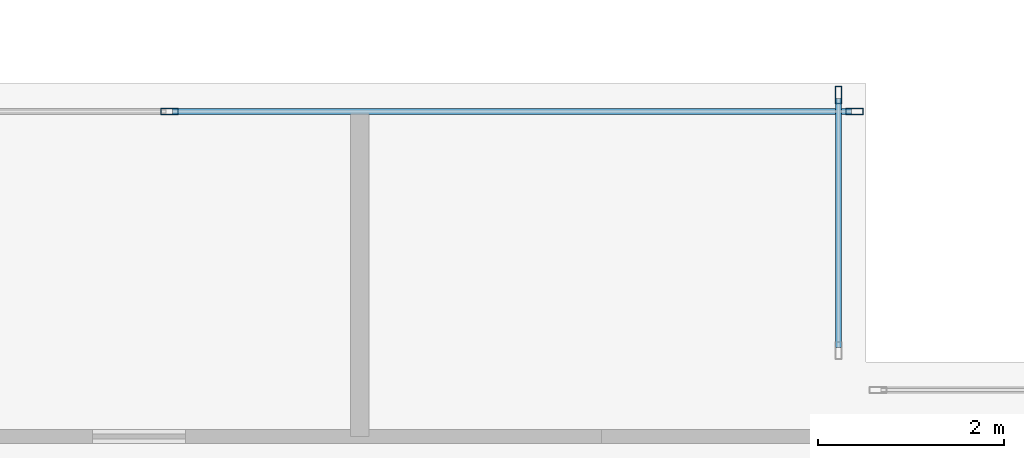
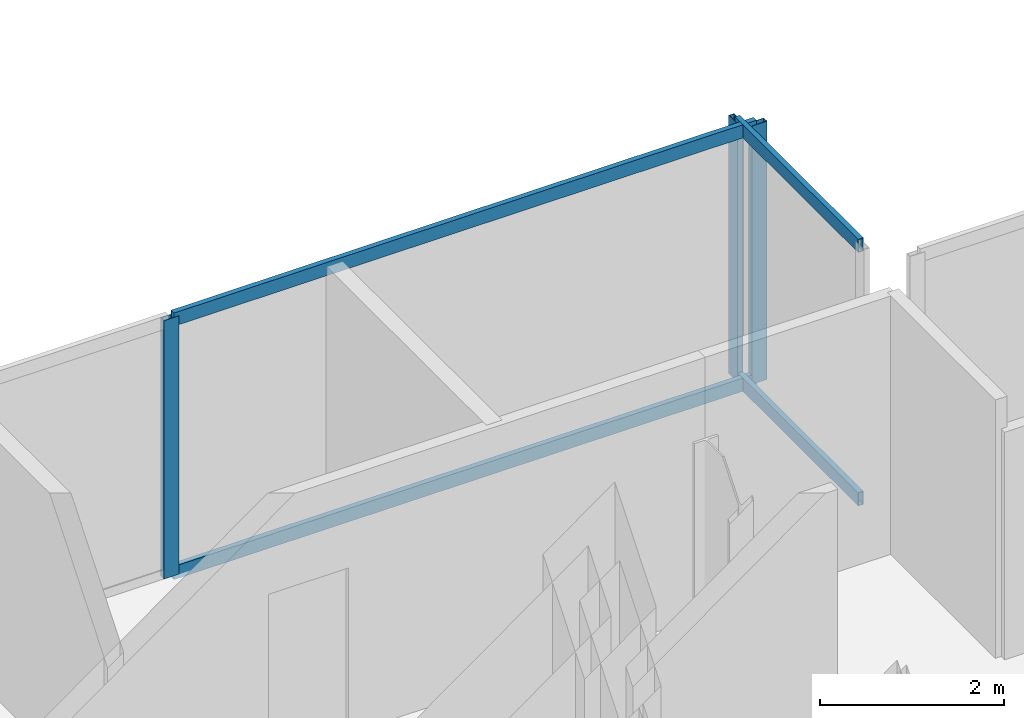
# One storey, part 13 of 25: 7 members, 2 elements without a shape of their own.
"""IFC4 building model written with IfcOpenShell, lengths in metres."""

import ifcopenshell
import ifcopenshell.guid

model = None  # the IFC model being written
_history = None  # IfcOwnerHistory: only IFC2X3 demands one
_inside = {}  # id of a spatial element -> (the spatial element, [elements in it])
_under = {}  # id of a project, library or spatial element -> (it, [spatial elements below it])
_declared = {}  # id of a project -> (the project, [libraries it declares])
_typed = {}  # id of a type object -> (the type object, [elements of that type])
_made_of = {}  # id of a material, layer set ... -> (it, [elements and type objects made of it])


def new_model(schema):
    """Start an empty IFC model of exactly this schema.

    Asked for "IFC4X3", IfcOpenShell would pick the latest addendum, in which some entities
    have other attributes; the version numbers below select the first issue.
    IFC2X3 requires an IfcOwnerHistory on every rooted entity: one is made here for all.
    """
    global model, _history
    if schema == "IFC4X3":
        model = ifcopenshell.file(schema_version=(4, 3, 0, 0))
    else:
        model = ifcopenshell.file(schema=schema)
    _inside.clear()
    _under.clear()
    _declared.clear()
    _typed.clear()
    _made_of.clear()
    _history = None
    if model.schema == "IFC2X3":
        org = make("IfcOrganization", Name="unknown")
        user = make(
            "IfcPersonAndOrganization",
            ThePerson=make("IfcPerson", FamilyName="unknown"),
            TheOrganization=org,
        )
        app = make(
            "IfcApplication",
            ApplicationDeveloper=org,
            Version="unknown",
            ApplicationFullName="unknown",
            ApplicationIdentifier="unknown",
        )
        _history = make(
            "IfcOwnerHistory",
            OwningUser=user,
            OwningApplication=app,
            ChangeAction="ADDED",
            CreationDate=0,
        )
    return model


def make(cls, **values):
    """One entity of the class cls with the attributes given. An attribute that is None is left unset."""
    return model.create_entity(
        cls, **{name: value for name, value in values.items() if value is not None}
    )


def rooted(cls, **values):
    """An entity with a GlobalId (a new one), such as an element, a storey or a relation."""
    return make(cls, GlobalId=ifcopenshell.guid.new(), OwnerHistory=_history, **values)


def si_unit(unit_type, name, prefix=None):
    """IfcSIUnit, for example si_unit("LENGTHUNIT", "METRE", prefix="MILLI")."""
    return make("IfcSIUnit", UnitType=unit_type, Prefix=prefix, Name=name)


def assignment(units):
    """IfcUnitAssignment: the units of a project."""
    return None if units is None else make("IfcUnitAssignment", Units=units)


def point(xyz):
    """IfcCartesianPoint."""
    return None if xyz is None else make("IfcCartesianPoint", Coordinates=xyz)


def direction(xyz):
    """IfcDirection."""
    return None if xyz is None else make("IfcDirection", DirectionRatios=xyz)


def frame(location, z_axis=None, x_axis=None):
    """IfcAxis2Placement3D, a coordinate frame: its origin and axes. An axis left out is left unset."""
    return make(
        "IfcAxis2Placement3D",
        Location=point(location),
        Axis=direction(z_axis),
        RefDirection=direction(x_axis),
    )


def frame_2d(location, x_axis=None):
    """IfcAxis2Placement2D, a coordinate frame in the plane: its origin and x axis."""
    return make(
        "IfcAxis2Placement2D", Location=point(location), RefDirection=direction(x_axis)
    )


def origin():
    """The frame at (0, 0, 0) with its axes left unset."""
    return frame((0.0, 0.0, 0.0))


def origin_2d():
    """The frame at (0, 0) in the plane with its x axis left unset."""
    return frame_2d((0.0, 0.0))


def place(relative_to, where):
    """IfcLocalPlacement: puts the frame where relative to a parent placement (None: the world)."""
    return make(
        "IfcLocalPlacement", PlacementRelTo=relative_to, RelativePlacement=where
    )


def context(
    kind, dimensions, precision=None, world=None, true_north=None, identifier=None
):
    """IfcGeometricRepresentationContext, for example the 3D "Model" context."""
    return make(
        "IfcGeometricRepresentationContext",
        ContextIdentifier=identifier,
        ContextType=kind,
        CoordinateSpaceDimension=dimensions,
        Precision=precision,
        WorldCoordinateSystem=world,
        TrueNorth=true_north,
    )


def subcontext(parent, identifier, kind, view, scale=None):
    """IfcGeometricRepresentationSubContext, for example "Body" below "Model"."""
    return make(
        "IfcGeometricRepresentationSubContext",
        ContextIdentifier=identifier,
        ContextType=kind,
        ParentContext=parent,
        TargetScale=scale,
        TargetView=view,
    )


def project(units=None, contexts=None):
    """IfcProject with its units and contexts."""
    return rooted(
        "IfcProject",
        Name="project",
        RepresentationContexts=contexts,
        UnitsInContext=assignment(units),
    )


def spatial(cls, under=None, at=None, **own):
    """A site, building, storey or space (cls), placed at a placement, below another one or the project."""
    s = rooted(cls, ObjectPlacement=at, **own)
    if under is not None:
        _under.setdefault(under.id(), (under, []))[1].append(s)
    return s


def profile(cls, at=None, kind="AREA", **sizes):
    """A parametric profile (cls). Its sizes go by their IFC names, for example OverallWidth=200.0."""
    return make(cls, ProfileType=kind, Position=at, **sizes)


def hollow_rectangle(**sizes):
    """IfcRectangleHollowProfileDef."""
    return profile("IfcRectangleHollowProfileDef", **sizes)


def extrude(swept, where, along, depth):
    """IfcExtrudedAreaSolid: the profile swept, set in the frame where, extruded along a direction by depth."""
    return make(
        "IfcExtrudedAreaSolid",
        SweptArea=swept,
        Position=where,
        ExtrudedDirection=direction(along),
        Depth=depth,
    )


def shape(context_of_items, identifier, shape_type, items):
    """IfcShapeRepresentation: the items that make up one representation, for example the "Body"."""
    return make(
        "IfcShapeRepresentation",
        ContextOfItems=context_of_items,
        RepresentationIdentifier=identifier,
        RepresentationType=shape_type,
        Items=items,
    )


def material(Name=None, Category=None):
    """IfcMaterial."""
    return make("IfcMaterial", Name=Name, Category=Category)


def layer(
    of_material, thickness, ventilated=None, Name=None, Category=None, Priority=None
):
    """IfcMaterialLayer: one layer of a wall or slab, of a material (None: an air gap)."""
    return make(
        "IfcMaterialLayer",
        Material=of_material,
        LayerThickness=thickness,
        IsVentilated=ventilated,
        Name=Name,
        Category=Category,
        Priority=Priority,
    )


def layer_set(layers, Name=None):
    """IfcMaterialLayerSet."""
    return make("IfcMaterialLayerSet", MaterialLayers=layers, LayerSetName=Name)


def material_profile(
    of_material, cross_section, Name=None, Category=None, Priority=None
):
    """IfcMaterialProfile: a cross section and its material."""
    return make(
        "IfcMaterialProfile",
        Name=Name,
        Material=of_material,
        Profile=cross_section,
        Priority=Priority,
        Category=Category,
    )


def profile_set(profiles, Name=None, composite=None):
    """IfcMaterialProfileSet."""
    return make(
        "IfcMaterialProfileSet",
        Name=Name,
        MaterialProfiles=profiles,
        CompositeProfile=composite,
    )


def made_of(thing, what):
    """Note that an element or type object is made of a material, layer set ...; save() writes the relation."""
    if what is not None:
        _made_of.setdefault(what.id(), (what, []))[1].append(thing)
    return thing


def type_object(cls, material=None, **own):
    """A type object (cls), such as IfcWallType, which elements share."""
    return made_of(rooted(cls, **own), material)


def element(
    cls,
    number,
    at=None,
    inside=None,
    cuts=None,
    type_object=None,
    material=None,
    context=None,
    identifier="Body",
    shape_type=None,
    held_by="IfcProductDefinitionShape",
    body=None,
    shapes=None,
    **own,
):
    """One element of the class cls, such as IfcWall. Its Tag is "e" and its number.

    at: its placement. inside: the storey or other place that contains it. cuts: it is an
    opening in that element (IfcRelVoidsElement). A single representation is given by context,
    identifier, shape_type and body (its items); several are given by shapes. held_by: the class
    of the entity that holds the representations. save() writes the other relations.
    """
    e = rooted(cls, Tag="e%d" % number, ObjectPlacement=at, **own)
    if body is not None:
        shapes = [shape(context, identifier, shape_type, body)]
    if shapes is not None:
        e.Representation = make(held_by, Representations=shapes)
    if inside is not None:
        _inside.setdefault(inside.id(), (inside, []))[1].append(e)
    if cuts is not None:
        rooted(
            "IfcRelVoidsElement", RelatingBuildingElement=cuts, RelatedOpeningElement=e
        )
    if type_object is not None:
        _typed.setdefault(type_object.id(), (type_object, []))[1].append(e)
    return made_of(e, material)


def aggregate(whole, parts):
    """IfcRelAggregates: a whole, such as a stair, and the parts it consists of."""
    return rooted("IfcRelAggregates", RelatingObject=whole, RelatedObjects=parts)


def save(model, path):
    """Write the relations noted so far, then the file.

    IfcRelAggregates (storeys below a building ...), IfcRelContainedInSpatialStructure (elements
    in a storey), IfcRelDefinesByType, IfcRelAssociatesMaterial and IfcRelDeclares: one each for
    every whole, place, type object, material and project.
    """
    for whole, parts in _under.values():
        aggregate(whole, parts)
    for where, things in _inside.values():
        rooted(
            "IfcRelContainedInSpatialStructure",
            RelatedElements=things,
            RelatingStructure=where,
        )
    for kind, things in _typed.values():
        rooted("IfcRelDefinesByType", RelatedObjects=things, RelatingType=kind)
    for what, things in _made_of.values():
        rooted("IfcRelAssociatesMaterial", RelatedObjects=things, RelatingMaterial=what)
    for by, libraries in _declared.values():
        rooted("IfcRelDeclares", RelatingContext=by, RelatedDefinitions=libraries)
    model.write(path)


model = new_model("IFC4")

# Units and contexts
model_context = context("Model", 3, precision=1e-05, world=origin(), true_north=direction((0.0, 1.0)))
body_context = subcontext(model_context, "Body", "Model", "MODEL_VIEW")
ifc_project = project(units=[si_unit("LENGTHUNIT", "METRE"), si_unit("AREAUNIT", "SQUARE_METRE"), si_unit("VOLUMEUNIT", "CUBIC_METRE"), si_unit("PLANEANGLEUNIT", "RADIAN"), si_unit("MASSUNIT", "GRAM", prefix="KILO"), si_unit("THERMODYNAMICTEMPERATUREUNIT", "KELVIN"), si_unit("POWERUNIT", "WATT")], contexts=[model_context])

# Site, building, storey
site_placement = place(None, origin())
site = spatial("IfcSite", under=ifc_project, at=site_placement, CompositionType="ELEMENT")
building_placement = place(site_placement, origin())
building = spatial("IfcBuilding", under=site, at=building_placement, Name="Svarakhadi Broadcast Tower", CompositionType="ELEMENT")
storey_placement = place(building_placement, frame((0.0, 0.0, 231.14990234375)))
storey = spatial("IfcBuildingStorey", under=building, at=storey_placement, Name="L57", CompositionType="ELEMENT", Elevation=231.14990234375)

# Curtain wall, members
ifc_material = material(Name="Anodised Bronze Aluminium AA 6063-T6", Category="aluminium")
ifc_layer = layer(ifc_material, 0.18994140625)
ifc_layer_set = layer_set([ifc_layer], Name="Anodised Bronze Aluminium AA 6063-T6")
curtain_wall_type = type_object("IfcCurtainWallType", Name="CW_Sys_04", PredefinedType="NOTDEFINED", material=ifc_layer_set)
curtain_wall_1_placement = place(storey_placement, origin())
curtain_wall_1 = element("IfcCurtainWall", 1, at=curtain_wall_1_placement, inside=storey, type_object=curtain_wall_type, Name="L57 Unitised Facade Curtain Wall 10", PredefinedType="NOTDEFINED")
ifc_material_profile_1 = material_profile(ifc_material, hollow_rectangle(XDim=0.070068359375, YDim=0.18994140625, WallThickness=0.005615234375, at=origin_2d()), Name="ALU MULLION 190x70x6")
ifc_profile_set_1 = profile_set([ifc_material_profile_1], Name="Anodised Bronze Aluminium AA 6063-T6")
member_type_1 = type_object("IfcMemberType", Name="CW_Sys_04_Mul", PredefinedType="MULLION", material=ifc_profile_set_1)
member_1_placement = place(storey_placement, frame((31.5, 23.699951171875, 0.0), z_axis=(0.0, 0.0, 1.0), x_axis=(0.0, 1.0, 0.0)))
member_1 = element("IfcMember", 2, at=member_1_placement, type_object=member_type_1, Name="CW-04 mullion 2", PredefinedType="MULLION", context=body_context, shape_type="SweptSolid", body=[
    extrude(hollow_rectangle(XDim=0.070068359375, YDim=0.18994140625, WallThickness=0.005615234375, at=origin_2d()), origin(), (0.0, 0.0, 1.0), 3.425048828125),
])
member_2_placement = place(storey_placement, frame((38.875, 23.699951171875, 0.0), z_axis=(0.0, 0.0, 1.0), x_axis=(0.0, 1.0, 0.0)))
member_2 = element("IfcMember", 3, at=member_2_placement, type_object=member_type_1, Name="CW-04 mullion 3", PredefinedType="MULLION", context=body_context, shape_type="SweptSolid", body=[
    extrude(hollow_rectangle(XDim=0.070068359375, YDim=0.18994140625, WallThickness=0.005615234375, at=origin_2d()), origin(), (0.0, 0.0, 1.0), 3.425048828125),
])

# Curtain wall, member
curtain_wall_2_placement = place(storey_placement, origin())
curtain_wall_2 = element("IfcCurtainWall", 4, at=curtain_wall_2_placement, inside=storey, type_object=curtain_wall_type, Name="L57 Unitised Facade Curtain Wall 11", PredefinedType="NOTDEFINED")
member_3_placement = place(storey_placement, frame((38.699951171875, 23.875, 0.0), z_axis=(0.0, 0.0, 1.0), x_axis=(1.0, 0.0, 0.0)))
member_3 = element("IfcMember", 5, at=member_3_placement, type_object=member_type_1, Name="CW-04 mullion 1", PredefinedType="MULLION", context=body_context, shape_type="SweptSolid", body=[
    extrude(hollow_rectangle(XDim=0.070068359375, YDim=0.18994140625, WallThickness=0.005615234375, at=origin_2d()), origin(), (0.0, 0.0, 1.0), 3.425048828125),
])

# Member
ifc_material_profile_2 = material_profile(ifc_material, hollow_rectangle(XDim=0.06494140625, YDim=0.175048828125, WallThickness=0.0048828125, at=origin_2d()), Name="ALU TRANSOM 175x65x5")
ifc_profile_set_2 = profile_set([ifc_material_profile_2], Name="Anodised Bronze Aluminium AA 6063-T6")
member_type_2 = type_object("IfcMemberType", Name="CW_Sys_04_Trn", PredefinedType="USERDEFINED", material=ifc_profile_set_2)
member_4_placement = place(storey_placement, frame((31.534912109375, 23.699951171875, 0.03271484375), z_axis=(1.0, 0.0, 0.0), x_axis=(0.0, 1.0, 0.0)))
member_4 = element("IfcMember", 6, at=member_4_placement, type_object=member_type_2, Name="CW-04 transom 2.1", ObjectType="TRANSOM", PredefinedType="USERDEFINED", context=body_context, shape_type="SweptSolid", body=[
    extrude(hollow_rectangle(XDim=0.06494140625, YDim=0.175048828125, WallThickness=0.0048828125, at=origin_2d()), origin(), (0.0, 0.0, 1.0), 7.30517578125),
])

member_5_placement = place(storey_placement, frame((31.534912109375, 23.699951171875, 3.392578125), z_axis=(1.0, 0.0, 0.0), x_axis=(0.0, 1.0, 0.0)))
member_5 = element("IfcMember", 7, at=member_5_placement, type_object=member_type_2, Name="CW-04 transom 2.2", ObjectType="TRANSOM", PredefinedType="USERDEFINED", context=body_context, shape_type="SweptSolid", body=[
    extrude(hollow_rectangle(XDim=0.06494140625, YDim=0.175048828125, WallThickness=0.0048828125, at=origin_2d()), origin(), (0.0, 0.0, 1.0), 7.30517578125),
])

aggregate(curtain_wall_1, [member_1, member_2, member_4, member_5])

member_6_placement = place(storey_placement, frame((38.699951171875, 23.840087890625, 0.03271484375), z_axis=(0.0, -1.0, 0.0), x_axis=(1.0, 0.0, 0.0)))
member_6 = element("IfcMember", 8, at=member_6_placement, type_object=member_type_2, Name="CW-04 transom 1.1", ObjectType="TRANSOM", PredefinedType="USERDEFINED", context=body_context, shape_type="SweptSolid", body=[
    extrude(hollow_rectangle(XDim=0.06494140625, YDim=0.175048828125, WallThickness=0.0048828125, at=origin_2d()), origin(), (0.0, 0.0, 1.0), 2.68017578125),
])

member_7_placement = place(storey_placement, frame((38.699951171875, 23.840087890625, 3.392578125), z_axis=(0.0, -1.0, 0.0), x_axis=(1.0, 0.0, 0.0)))
member_7 = element("IfcMember", 9, at=member_7_placement, type_object=member_type_2, Name="CW-04 transom 1.2", ObjectType="TRANSOM", PredefinedType="USERDEFINED", context=body_context, shape_type="SweptSolid", body=[
    extrude(hollow_rectangle(XDim=0.06494140625, YDim=0.175048828125, WallThickness=0.0048828125, at=origin_2d()), origin(), (0.0, 0.0, 1.0), 2.68017578125),
])

aggregate(curtain_wall_2, [member_3, member_6, member_7])

save(model, "model.ifc")
